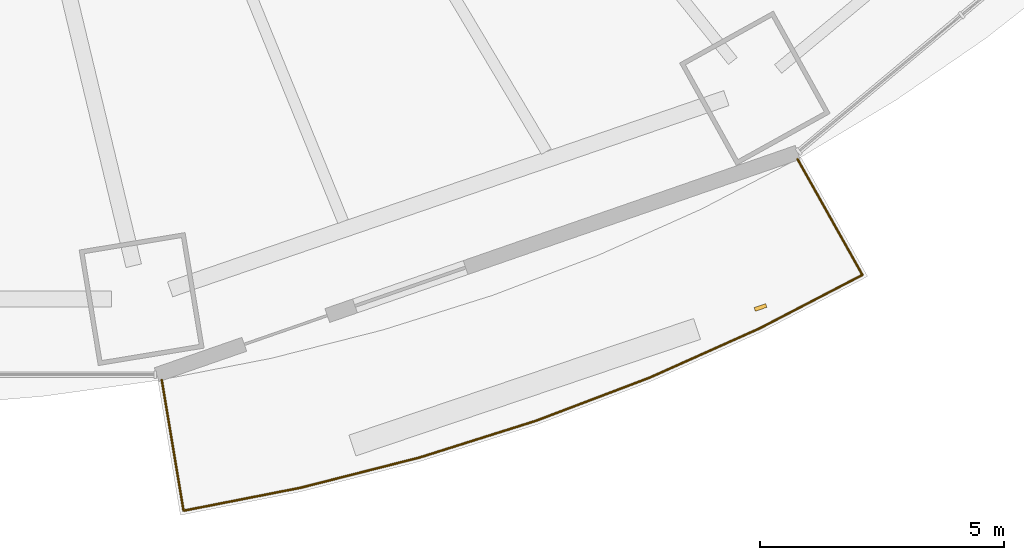
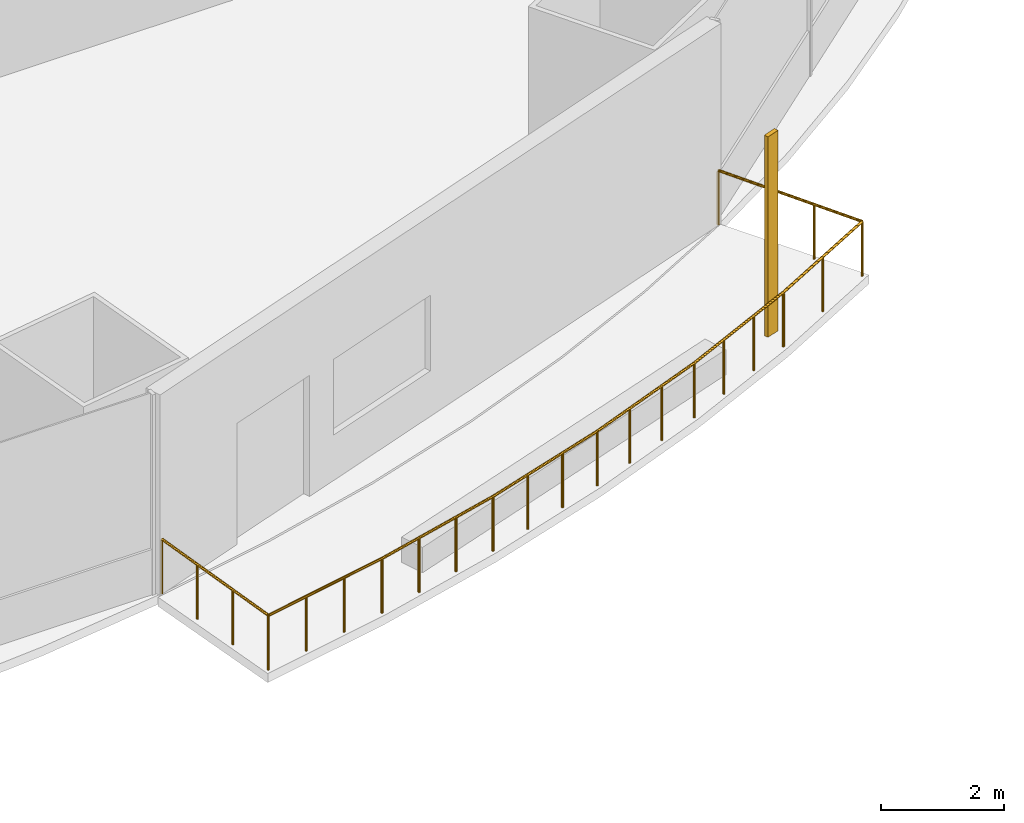
# One storey, part 19 of 23: 1 railing, 1 shading device.
"""IFC4 building model written with IfcOpenShell, lengths in metres."""

from ifc_helpers import new_model, si_unit, direction, frame, origin, origin_2d, place, context, subcontext, project, spatial, rectangle, circle, extrude, material, material_profile, profile_set, type_object, element, save


model = new_model("IFC4")

# Units and contexts
model_context = context("Model", 3, precision=1e-05, world=origin(), true_north=direction((0.0, 1.0)))
body_context = subcontext(model_context, "Body", "Model", "MODEL_VIEW")
ifc_project = project(units=[si_unit("LENGTHUNIT", "METRE"), si_unit("AREAUNIT", "SQUARE_METRE"), si_unit("VOLUMEUNIT", "CUBIC_METRE"), si_unit("PLANEANGLEUNIT", "RADIAN"), si_unit("MASSUNIT", "GRAM", prefix="KILO")], contexts=[model_context])

# Site, building, storey
site_placement = place(None, origin())
site = spatial("IfcSite", under=ifc_project, at=site_placement, CompositionType="ELEMENT")
building_placement = place(site_placement, origin())
building = spatial("IfcBuilding", under=site, at=building_placement, Name="Marenthal Gate Tower", CompositionType="ELEMENT")
storey_placement = place(building_placement, frame((0.0, 0.0, 45.449951171875)))
storey = spatial("IfcBuildingStorey", under=building, at=storey_placement, Name="L07", CompositionType="ELEMENT", Elevation=45.449951171875)

# Railing
ifc_material_1 = material(Name="Stainless steel", Category="steel")
railing_type = type_object("IfcRailingType", Name="Balcony guard 1100", PredefinedType="GUARDRAIL", material=ifc_material_1)
railing_placement = place(storey_placement, frame((20.24072265625, -25.51123046875, 0.0)))
element("IfcRailing", 1, at=railing_placement, inside=storey, type_object=railing_type, Name="Balcony guard L07 bay 13", PredefinedType="GUARDRAIL", context=body_context, shape_type="SweptSolid", body=[
    extrude(circle(Radius=0.02392578125, at=origin_2d()), frame((0.0, 0.0, 1.076171875), z_axis=(0.488779989422, -0.872282908041, -0.014719044852), x_axis=(0.872377413566, 0.488832945188, 0.0)), (0.0, 0.0, 1.0), 2.72021484375),
    extrude(circle(Radius=0.02392578125, at=origin_2d()), frame((1.32958984375, -2.372802734375, 1.0361328125), z_axis=(-0.887280789471, -0.461229661487, 0.0), x_axis=(0.461229661487, -0.887280789471, 0.0)), (0.0, 0.0, 1.0), 2.37353515625),
    extrude(circle(Radius=0.02392578125, at=origin_2d()), frame((-0.7763671875, -3.467529296875, 1.0361328125), z_axis=(-0.912605925031, -0.408840342429, 0.0), x_axis=(0.408840342429, -0.912605925031, 0.0)), (0.0, 0.0, 1.0), 2.4716796875),
    extrude(circle(Radius=0.02392578125, at=origin_2d()), frame((-3.031982421875, -4.47802734375, 1.0361328125), z_axis=(-0.934902124895, -0.354905645019, 0.0), x_axis=(0.354905645019, -0.934902124895, 0.0)), (0.0, 0.0, 1.0), 2.488037109375),
    extrude(circle(Radius=0.02392578125, at=origin_2d()), frame((-5.358154296875, -5.361083984375, 1.0361328125), z_axis=(-0.953671084495, -0.30085123001, 0.0), x_axis=(0.30085123001, -0.953671084495, 0.0)), (0.0, 0.0, 1.0), 2.502685546875),
    extrude(circle(Radius=0.02392578125, at=origin_2d()), frame((-7.744873046875, -6.114013671875, 1.0361328125), z_axis=(-0.969181494284, -0.246347784927, 0.0), x_axis=(0.246347784927, -0.969181494284, 0.0)), (0.0, 0.0, 1.0), 2.515380859375),
    extrude(circle(Radius=0.02392578125, at=origin_2d()), frame((-10.1826171875, -6.733642578125, 1.0361328125), z_axis=(-0.981261967917, -0.19267835976, 0.0), x_axis=(0.19267835976, -0.981261967917, 0.0)), (0.0, 0.0, 1.0), 2.445556640625),
    extrude(circle(Radius=0.02392578125, at=origin_2d()), frame((-12.582275390625, -7.204833984375, 1.0361328125), z_axis=(-0.164512163182, 0.986265227064, 0.014719036968), x_axis=(-0.986372081632, -0.164529986862, 0.0)), (0.0, 0.0, 1.0), 2.72021484375),
    extrude(circle(Radius=0.02099609375, at=origin_2d()), origin(), (0.0, 0.0, 1.0), 1.052001953125),
    extrude(circle(Radius=0.02099609375, at=origin_2d()), frame((0.443115234375, -0.791015625, -0.013427734375)), (0.0, 0.0, 1.0), 1.052001953125),
    extrude(circle(Radius=0.02099609375, at=origin_2d()), frame((0.886474609375, -1.581787109375, -0.026611328125)), (0.0, 0.0, 1.0), 1.052001953125),
    extrude(circle(Radius=0.02099609375, at=origin_2d()), frame((1.32958984375, -2.372802734375, -0.0400390625)), (0.0, 0.0, 1.0), 1.052001953125),
    extrude(circle(Radius=0.02099609375, at=origin_2d()), frame((0.276611328125, -2.920166015625, -0.0400390625)), (0.0, 0.0, 1.0), 1.052001953125),
    extrude(circle(Radius=0.02099609375, at=origin_2d()), frame((-0.7763671875, -3.467529296875, -0.0400390625)), (0.0, 0.0, 1.0), 1.052001953125),
    extrude(circle(Radius=0.02099609375, at=origin_2d()), frame((-1.5283203125, -3.804443359375, -0.0400390625)), (0.0, 0.0, 1.0), 1.052001953125),
    extrude(circle(Radius=0.02099609375, at=origin_2d()), frame((-2.280029296875, -4.14111328125, -0.0400390625)), (0.0, 0.0, 1.0), 1.052001953125),
    extrude(circle(Radius=0.02099609375, at=origin_2d()), frame((-3.031982421875, -4.47802734375, -0.0400390625)), (0.0, 0.0, 1.0), 1.052001953125),
    extrude(circle(Radius=0.02099609375, at=origin_2d()), frame((-3.807373046875, -4.7724609375, -0.0400390625)), (0.0, 0.0, 1.0), 1.052001953125),
    extrude(circle(Radius=0.02099609375, at=origin_2d()), frame((-4.582763671875, -5.066650390625, -0.0400390625)), (0.0, 0.0, 1.0), 1.052001953125),
    extrude(circle(Radius=0.02099609375, at=origin_2d()), frame((-5.358154296875, -5.361083984375, -0.0400390625)), (0.0, 0.0, 1.0), 1.052001953125),
    extrude(circle(Radius=0.02099609375, at=origin_2d()), frame((-6.15380859375, -5.612060546875, -0.0400390625)), (0.0, 0.0, 1.0), 1.052001953125),
    extrude(circle(Radius=0.02099609375, at=origin_2d()), frame((-6.94921875, -5.863037109375, -0.0400390625)), (0.0, 0.0, 1.0), 1.052001953125),
    extrude(circle(Radius=0.02099609375, at=origin_2d()), frame((-7.744873046875, -6.114013671875, -0.0400390625)), (0.0, 0.0, 1.0), 1.052001953125),
    extrude(circle(Radius=0.02099609375, at=origin_2d()), frame((-8.557373046875, -6.320556640625, -0.0400390625)), (0.0, 0.0, 1.0), 1.052001953125),
    extrude(circle(Radius=0.02099609375, at=origin_2d()), frame((-9.3701171875, -6.527099609375, -0.0400390625)), (0.0, 0.0, 1.0), 1.052001953125),
    extrude(circle(Radius=0.02099609375, at=origin_2d()), frame((-10.1826171875, -6.733642578125, -0.0400390625)), (0.0, 0.0, 1.0), 1.052001953125),
    extrude(circle(Radius=0.02099609375, at=origin_2d()), frame((-10.982421875, -6.890625, -0.0400390625)), (0.0, 0.0, 1.0), 1.052001953125),
    extrude(circle(Radius=0.02099609375, at=origin_2d()), frame((-11.782470703125, -7.0478515625, -0.0400390625)), (0.0, 0.0, 1.0), 1.052001953125),
    extrude(circle(Radius=0.02099609375, at=origin_2d()), frame((-12.582275390625, -7.204833984375, -0.0400390625)), (0.0, 0.0, 1.0), 1.052001953125),
    extrude(circle(Radius=0.02099609375, at=origin_2d()), frame((-12.7314453125, -6.310546875, -0.026611328125)), (0.0, 0.0, 1.0), 1.052001953125),
    extrude(circle(Radius=0.02099609375, at=origin_2d()), frame((-12.880615234375, -5.416259765625, -0.013427734375)), (0.0, 0.0, 1.0), 1.052001953125),
    extrude(circle(Radius=0.02099609375, at=origin_2d()), frame((-13.02978515625, -4.52197265625, 0.0)), (0.0, 0.0, 1.0), 1.052001953125),
])

# Shading device
ifc_material_2 = material(Name="Terracotta", Category="masonry")
ifc_material_profile = material_profile(ifc_material_2, rectangle(XDim=0.25, YDim=0.080078125, at=origin_2d()), Name="Terracotta baguette 250x80")
ifc_profile_set = profile_set([ifc_material_profile], Name="Terracotta")
shading_device_type = type_object("IfcShadingDeviceType", Name="Terracotta BAGUETTE SCREEN 250x80", PredefinedType="USERDEFINED", material=ifc_profile_set)
shading_device_placement = place(storey_placement, frame((19.481689453125, -28.55078125, -0.0400390625), z_axis=(0.0, 0.0, 1.0), x_axis=(0.944690686162, 0.327962661713, 0.0)))
element("IfcShadingDevice", 2, at=shading_device_placement, inside=storey, type_object=shading_device_type, Name="Terracotta BAGUETTE L07 bay 13R", ObjectType="BAGUETTE SCREEN", PredefinedType="USERDEFINED", context=body_context, shape_type="SweptSolid", body=[
    extrude(rectangle(XDim=0.25, YDim=0.080078125, at=origin_2d()), origin(), (0.0, 0.0, 1.0), 3.969970703125),
])

save(model, "model.ifc")
